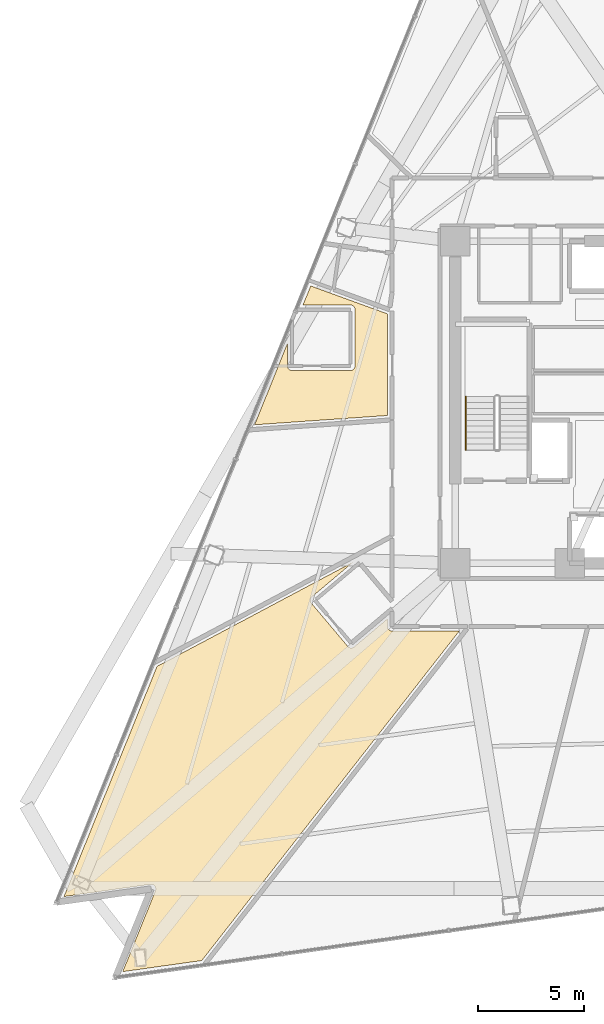
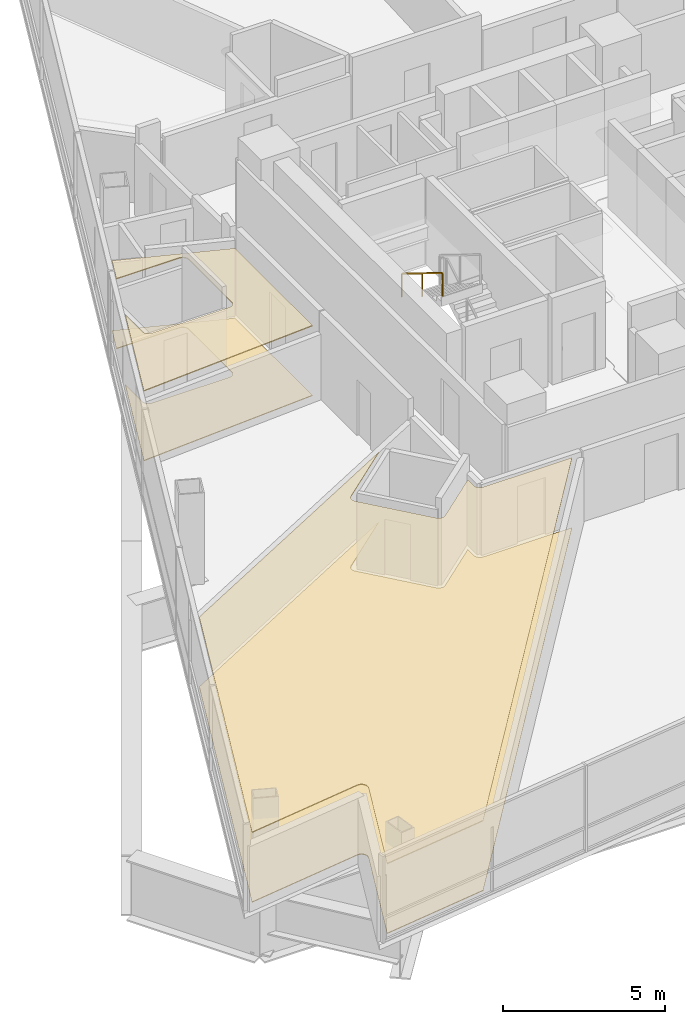
# One storey, part 11 of 15: 4 coverings, 1 railing.
"""IFC4 building model written with IfcOpenShell, lengths in metres."""

from ifc_helpers import new_model, si_unit, direction, frame, origin, origin_2d, place, context, subcontext, project, spatial, polyline, rectangle, outline, extrude, material, layer, layer_set, type_object, element, save


model = new_model("IFC4")

# Units and contexts
model_context = context("Model", 3, precision=1e-05, world=origin(), true_north=direction((0.0, 1.0)))
body_context = subcontext(model_context, "Body", "Model", "MODEL_VIEW")
ifc_project = project(units=[si_unit("LENGTHUNIT", "METRE"), si_unit("AREAUNIT", "SQUARE_METRE"), si_unit("VOLUMEUNIT", "CUBIC_METRE"), si_unit("PLANEANGLEUNIT", "RADIAN"), si_unit("MASSUNIT", "GRAM", prefix="KILO")], contexts=[model_context])

# Site, building, storey
site_placement = place(None, origin())
site = spatial("IfcSite", under=ifc_project, at=site_placement, CompositionType="ELEMENT")
building_placement = place(site_placement, origin())
building = spatial("IfcBuilding", under=site, at=building_placement, Name="Tharavind Bronze Gate", CompositionType="ELEMENT")
storey_placement = place(building_placement, frame((0.0, 0.0, 57.0)))
storey = spatial("IfcBuildingStorey", under=building, at=storey_placement, Name="L13", CompositionType="ELEMENT", Elevation=57.0)

# Coverings
ifc_material_1 = material(Name="Engineered Oak & Carpet Tile", Category="wood")
ifc_layer_1 = layer(ifc_material_1, 0.02490234375)
ifc_layer_set_1 = layer_set([ifc_layer_1], Name="Engineered Oak & Carpet Tile")
covering_type_1 = type_object("IfcCoveringType", Name="ENGINEERED TIMBER FLOORING", PredefinedType="FLOORING", material=ifc_layer_set_1)
covering_1_placement = place(storey_placement, origin())
element("IfcCovering", 1, at=covering_1_placement, inside=storey, type_object=covering_type_1, Name="L13-RM-07 floor finish", PredefinedType="FLOORING", context=body_context, shape_type="SweptSolid", body=[
    extrude(outline(polyline([(-12.10009765625, -0.62548828125), (-12.10009765625, 4.169921875), (-15.720703125, 5.48779296875), (-16.08447265625, 4.587646484375), (-13.85009765625, 4.587646484375), (-13.828369140625, 4.586669921875), (-13.80712890625, 4.58349609375), (-13.7861328125, 4.578125), (-13.765869140625, 4.57080078125), (-13.746337890625, 4.561767578125), (-13.727783203125, 4.550537109375), (-13.71044921875, 4.53759765625), (-13.6943359375, 4.523193359375), (-13.679931640625, 4.507080078125), (-13.6669921875, 4.489990234375), (-13.656005859375, 4.471435546875), (-13.646728515625, 4.451904296875), (-13.639404296875, 4.431396484375), (-13.63427734375, 4.41064453125), (-13.631103515625, 4.38916015625), (-13.6298828125, 4.36767578125), (-13.6298828125, 1.717529296875), (-13.631103515625, 1.696044921875), (-13.63427734375, 1.6748046875), (-13.639404296875, 1.65380859375), (-13.646728515625, 1.633544921875), (-13.656005859375, 1.614013671875), (-13.6669921875, 1.595458984375), (-13.679931640625, 1.578125), (-13.6943359375, 1.56201171875), (-13.71044921875, 1.547607421875), (-13.727783203125, 1.53466796875), (-13.746337890625, 1.523681640625), (-13.765869140625, 1.514404296875), (-13.7861328125, 1.507080078125), (-13.80712890625, 1.501953125), (-13.828369140625, 1.498779296875), (-13.85009765625, 1.49755859375), (-16.60009765625, 1.49755859375), (-16.62158203125, 1.498779296875), (-16.642822265625, 1.501953125), (-16.663818359375, 1.507080078125), (-16.68408203125, 1.514404296875), (-16.70361328125, 1.523681640625), (-16.72216796875, 1.53466796875), (-16.739501953125, 1.547607421875), (-16.755615234375, 1.56201171875), (-16.77001953125, 1.578125), (-16.782958984375, 1.595458984375), (-16.7939453125, 1.614013671875), (-16.80322265625, 1.633544921875), (-16.810546875, 1.65380859375), (-16.81591796875, 1.6748046875), (-16.81884765625, 1.696044921875), (-16.820068359375, 1.717529296875), (-16.820068359375, 2.767333984375), (-18.367919921875, -1.06396484375), (-12.10009765625, -0.62548828125)])), origin(), (0.0, 0.0, 1.0), 0.02490234375),
])
covering_2_placement = place(storey_placement, origin())
element("IfcCovering", 2, at=covering_2_placement, inside=storey, type_object=covering_type_1, Name="L13-RM-09 floor finish", PredefinedType="FLOORING", context=body_context, shape_type="SweptSolid", body=[
    extrude(outline(polyline([(-23.281982421875, -22.747802734375), (-23.271240234375, -22.74658203125), (-23.270751953125, -22.74658203125), (-23.248779296875, -22.74560546875), (-23.226806640625, -22.7470703125), (-23.205078125, -22.75048828125), (-23.18408203125, -22.756103515625), (-23.16357421875, -22.763916015625), (-23.143798828125, -22.7734375), (-23.125244140625, -22.78515625), (-23.10791015625, -22.798583984375), (-23.091796875, -22.813720703125), (-23.07763671875, -22.830078125), (-23.06494140625, -22.84814453125), (-23.05419921875, -22.8671875), (-23.04541015625, -22.88720703125), (-23.03857421875, -22.908203125), (-23.033935546875, -22.9296875), (-23.031494140625, -22.951416015625), (-23.031005859375, -22.973388671875), (-23.032958984375, -22.9951171875), (-23.037109375, -23.0166015625), (-23.043212890625, -23.037841796875), (-23.043212890625, -23.038330078125), (-23.047119140625, -23.048583984375), (-24.58984375, -26.866943359375), (-20.860595703125, -26.343017578125), (-8.717041015625, -10.800048828125), (-11.87939453125, -10.800048828125), (-11.89013671875, -10.7998046875), (-11.890869140625, -10.7998046875), (-11.912353515625, -10.797607421875), (-11.933349609375, -10.79345703125), (-11.9541015625, -10.787109375), (-11.97412109375, -10.77880859375), (-11.9931640625, -10.768798828125), (-12.010986328125, -10.756591796875), (-12.027587890625, -10.742919921875), (-12.04296875, -10.727783203125), (-12.056640625, -10.7109375), (-12.068603515625, -10.693115234375), (-12.078857421875, -10.674072265625), (-12.087158203125, -10.654052734375), (-12.093505859375, -10.63330078125), (-12.09765625, -10.6123046875), (-12.099609375, -10.5908203125), (-12.099609375, -10.590087890625), (-12.10009765625, -10.579345703125), (-12.10009765625, -10.218017578125), (-13.66796875, -11.53955078125), (-13.685302734375, -11.552490234375), (-13.70361328125, -11.56396484375), (-13.722900390625, -11.573486328125), (-13.7431640625, -11.580810546875), (-13.763916015625, -11.58642578125), (-13.785400390625, -11.58984375), (-13.806884765625, -11.59130859375), (-13.82861328125, -11.59033203125), (-13.849853515625, -11.58740234375), (-13.870849609375, -11.58251953125), (-13.891357421875, -11.57568359375), (-13.910888671875, -11.566650390625), (-13.9296875, -11.5556640625), (-13.947021484375, -11.543212890625), (-13.96337890625, -11.52880859375), (-13.97802734375, -11.512939453125), (-15.685791015625, -9.486572265625), (-15.69873046875, -9.469482421875), (-15.710205078125, -9.451171875), (-15.719482421875, -9.431640625), (-15.727294921875, -9.41162109375), (-15.732666015625, -9.390625), (-15.736083984375, -9.369384765625), (-15.737548828125, -9.34765625), (-15.73681640625, -9.326171875), (-15.73388671875, -9.3046875), (-15.728759765625, -9.28369140625), (-15.7216796875, -9.26318359375), (-15.712890625, -9.24365234375), (-15.701904296875, -9.22509765625), (-15.689208984375, -9.20751953125), (-15.675048828125, -9.19140625), (-15.6591796875, -9.176513671875), (-13.72607421875, -7.54736328125), (-22.97412109375, -12.464599609375), (-27.3603515625, -23.321044921875), (-23.281982421875, -22.747802734375)])), origin(), (0.0, 0.0, 1.0), 0.02490234375),
])
ifc_material_2 = material(Name="Acoustic Gypsum Board", Category="gypsum")
ifc_layer_2 = layer(ifc_material_2, 0.030029296875)
ifc_layer_set_2 = layer_set([ifc_layer_2], Name="Acoustic Gypsum Board")
covering_type_2 = type_object("IfcCoveringType", Name="GYPSUM SUSPENDED CEILING", PredefinedType="CEILING", material=ifc_layer_set_2)
covering_3_placement = place(storey_placement, frame((0.0, 0.0, 2.625)))
element("IfcCovering", 3, at=covering_3_placement, inside=storey, type_object=covering_type_2, Name="L13-RM-07 suspended ceiling", PredefinedType="CEILING", context=body_context, shape_type="SweptSolid", body=[
    extrude(outline(polyline([(-12.10009765625, -0.62548828125), (-12.10009765625, 4.169921875), (-15.720703125, 5.48779296875), (-16.08447265625, 4.587646484375), (-13.85009765625, 4.587646484375), (-13.828369140625, 4.586669921875), (-13.80712890625, 4.58349609375), (-13.7861328125, 4.578125), (-13.765869140625, 4.57080078125), (-13.746337890625, 4.561767578125), (-13.727783203125, 4.550537109375), (-13.71044921875, 4.53759765625), (-13.6943359375, 4.523193359375), (-13.679931640625, 4.507080078125), (-13.6669921875, 4.489990234375), (-13.656005859375, 4.471435546875), (-13.646728515625, 4.451904296875), (-13.639404296875, 4.431396484375), (-13.63427734375, 4.41064453125), (-13.631103515625, 4.38916015625), (-13.6298828125, 4.36767578125), (-13.6298828125, 1.717529296875), (-13.631103515625, 1.696044921875), (-13.63427734375, 1.6748046875), (-13.639404296875, 1.65380859375), (-13.646728515625, 1.633544921875), (-13.656005859375, 1.614013671875), (-13.6669921875, 1.595458984375), (-13.679931640625, 1.578125), (-13.6943359375, 1.56201171875), (-13.71044921875, 1.547607421875), (-13.727783203125, 1.53466796875), (-13.746337890625, 1.523681640625), (-13.765869140625, 1.514404296875), (-13.7861328125, 1.507080078125), (-13.80712890625, 1.501953125), (-13.828369140625, 1.498779296875), (-13.85009765625, 1.49755859375), (-16.60009765625, 1.49755859375), (-16.62158203125, 1.498779296875), (-16.642822265625, 1.501953125), (-16.663818359375, 1.507080078125), (-16.68408203125, 1.514404296875), (-16.70361328125, 1.523681640625), (-16.72216796875, 1.53466796875), (-16.739501953125, 1.547607421875), (-16.755615234375, 1.56201171875), (-16.77001953125, 1.578125), (-16.782958984375, 1.595458984375), (-16.7939453125, 1.614013671875), (-16.80322265625, 1.633544921875), (-16.810546875, 1.65380859375), (-16.81591796875, 1.6748046875), (-16.81884765625, 1.696044921875), (-16.820068359375, 1.717529296875), (-16.820068359375, 2.767333984375), (-18.367919921875, -1.06396484375), (-12.10009765625, -0.62548828125)])), origin(), (0.0, 0.0, 1.0), 0.034912109375),
])
covering_4_placement = place(storey_placement, frame((0.0, 0.0, 2.625)))
element("IfcCovering", 4, at=covering_4_placement, inside=storey, type_object=covering_type_2, Name="L13-RM-09 suspended ceiling", PredefinedType="CEILING", context=body_context, shape_type="SweptSolid", body=[
    extrude(outline(polyline([(-23.281982421875, -22.747802734375), (-23.271240234375, -22.74658203125), (-23.270751953125, -22.74658203125), (-23.248779296875, -22.74560546875), (-23.226806640625, -22.7470703125), (-23.205078125, -22.75048828125), (-23.18408203125, -22.756103515625), (-23.16357421875, -22.763916015625), (-23.143798828125, -22.7734375), (-23.125244140625, -22.78515625), (-23.10791015625, -22.798583984375), (-23.091796875, -22.813720703125), (-23.07763671875, -22.830078125), (-23.06494140625, -22.84814453125), (-23.05419921875, -22.8671875), (-23.04541015625, -22.88720703125), (-23.03857421875, -22.908203125), (-23.033935546875, -22.9296875), (-23.031494140625, -22.951416015625), (-23.031005859375, -22.973388671875), (-23.032958984375, -22.9951171875), (-23.037109375, -23.0166015625), (-23.043212890625, -23.037841796875), (-23.043212890625, -23.038330078125), (-23.047119140625, -23.048583984375), (-24.58984375, -26.866943359375), (-20.860595703125, -26.343017578125), (-8.717041015625, -10.800048828125), (-11.87939453125, -10.800048828125), (-11.89013671875, -10.7998046875), (-11.890869140625, -10.7998046875), (-11.912353515625, -10.797607421875), (-11.933349609375, -10.79345703125), (-11.9541015625, -10.787109375), (-11.97412109375, -10.77880859375), (-11.9931640625, -10.768798828125), (-12.010986328125, -10.756591796875), (-12.027587890625, -10.742919921875), (-12.04296875, -10.727783203125), (-12.056640625, -10.7109375), (-12.068603515625, -10.693115234375), (-12.078857421875, -10.674072265625), (-12.087158203125, -10.654052734375), (-12.093505859375, -10.63330078125), (-12.09765625, -10.6123046875), (-12.099609375, -10.5908203125), (-12.099609375, -10.590087890625), (-12.10009765625, -10.579345703125), (-12.10009765625, -10.218017578125), (-13.66796875, -11.53955078125), (-13.685302734375, -11.552490234375), (-13.70361328125, -11.56396484375), (-13.722900390625, -11.573486328125), (-13.7431640625, -11.580810546875), (-13.763916015625, -11.58642578125), (-13.785400390625, -11.58984375), (-13.806884765625, -11.59130859375), (-13.82861328125, -11.59033203125), (-13.849853515625, -11.58740234375), (-13.870849609375, -11.58251953125), (-13.891357421875, -11.57568359375), (-13.910888671875, -11.566650390625), (-13.9296875, -11.5556640625), (-13.947021484375, -11.543212890625), (-13.96337890625, -11.52880859375), (-13.97802734375, -11.512939453125), (-15.685791015625, -9.486572265625), (-15.69873046875, -9.469482421875), (-15.710205078125, -9.451171875), (-15.719482421875, -9.431640625), (-15.727294921875, -9.41162109375), (-15.732666015625, -9.390625), (-15.736083984375, -9.369384765625), (-15.737548828125, -9.34765625), (-15.73681640625, -9.326171875), (-15.73388671875, -9.3046875), (-15.728759765625, -9.28369140625), (-15.7216796875, -9.26318359375), (-15.712890625, -9.24365234375), (-15.701904296875, -9.22509765625), (-15.689208984375, -9.20751953125), (-15.675048828125, -9.19140625), (-15.6591796875, -9.176513671875), (-13.72607421875, -7.54736328125), (-22.97412109375, -12.464599609375), (-27.3603515625, -23.321044921875), (-23.281982421875, -22.747802734375)])), origin(), (0.0, 0.0, 1.0), 0.034912109375),
])

# Railing
ifc_material_3 = material(Name="Brushed Bronze Alloy", Category="metal")
railing_type = type_object("IfcRailingType", Name="STAIR BRONZE HANDRAIL 900", PredefinedType="HANDRAIL", material=ifc_material_3)
railing_placement = place(storey_placement, frame((-8.39990234375, 0.27001953125, 1.8974609375)))
element("IfcRailing", 5, at=railing_placement, inside=storey, type_object=railing_type, Name="L13 ST1 stair handrail 2", PredefinedType="HANDRAIL", context=body_context, shape_type="SweptSolid", body=[
    extrude(rectangle(XDim=0.048095703125, YDim=0.048095703125, at=origin_2d()), frame((0.0, -0.02734375, 0.892578125), z_axis=(0.0, -0.851400495292, 0.524516154772), x_axis=(1.0, 0.0, 0.0)), (0.0, 0.0, 1.0), 2.895751953125),
    extrude(rectangle(XDim=0.0400390625, YDim=0.0400390625, at=origin_2d()), origin(), (0.0, 0.0, 1.0), 0.847900390625),
    extrude(rectangle(XDim=0.0400390625, YDim=0.0400390625, at=origin_2d()), frame((0.0, -1.260009765625, 0.7763671875)), (0.0, 0.0, 1.0), 0.847900390625),
    extrude(rectangle(XDim=0.0400390625, YDim=0.0400390625, at=origin_2d()), frame((0.0, -2.52001953125, 1.552490234375)), (0.0, 0.0, 1.0), 0.847900390625),
])

save(model, "model.ifc")
